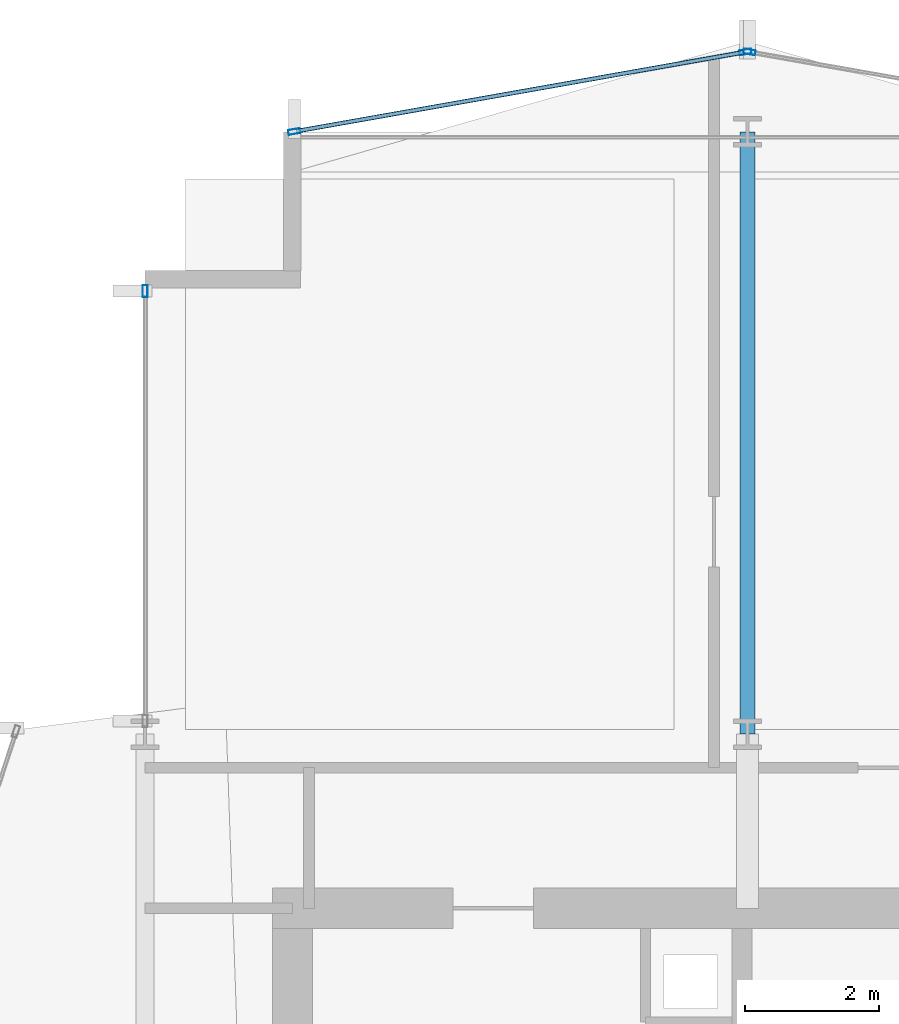
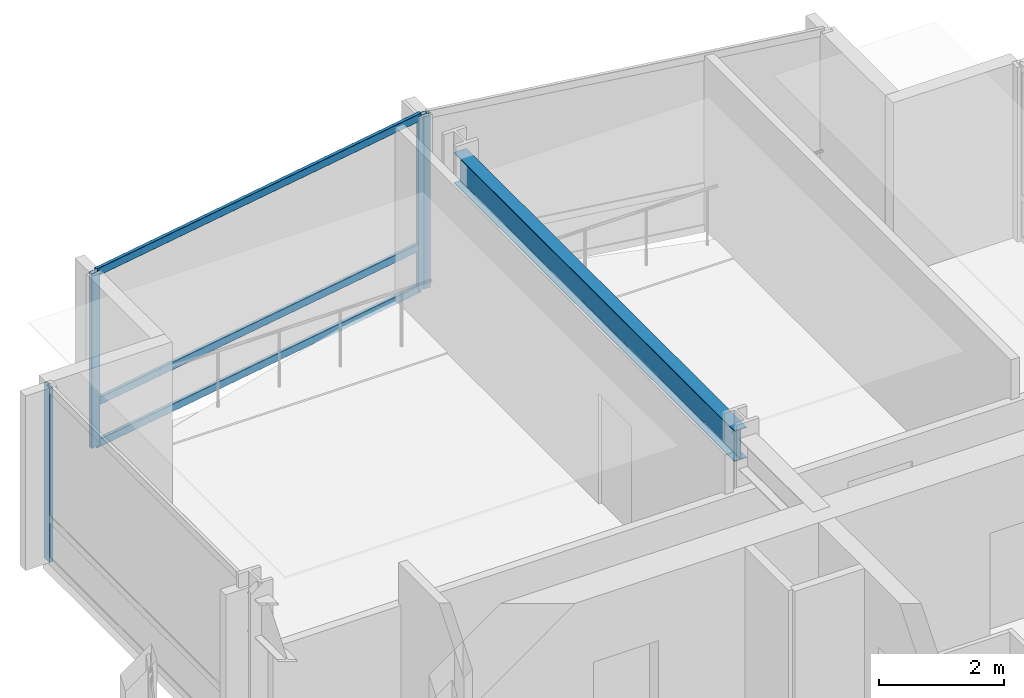
# One storey, part 19 of 28: 7 members, 1 beam, 3 elements without a shape of their own.
"""IFC4 building model written with IfcOpenShell, lengths in metres."""

from ifc_helpers import new_model, si_unit, direction, frame, origin, origin_2d, place, context, subcontext, project, spatial, hollow_rectangle, i_section, extrude, material, layer, layer_set, material_profile, profile_set, type_object, element, aggregate, save


model = new_model("IFC4")

# Units and contexts
model_context = context("Model", 3, precision=1e-05, world=origin(), true_north=direction((0.0, 1.0)))
body_context = subcontext(model_context, "Body", "Model", "MODEL_VIEW")
ifc_project = project(units=[si_unit("LENGTHUNIT", "METRE"), si_unit("AREAUNIT", "SQUARE_METRE"), si_unit("VOLUMEUNIT", "CUBIC_METRE"), si_unit("PLANEANGLEUNIT", "RADIAN"), si_unit("MASSUNIT", "GRAM", prefix="KILO")], contexts=[model_context])

# Site, building, storey
site_placement = place(None, origin())
site = spatial("IfcSite", under=ifc_project, at=site_placement, CompositionType="ELEMENT")
building_placement = place(site_placement, origin())
building = spatial("IfcBuilding", under=site, at=building_placement, Name="Solvaryn Broadcast Tower", CompositionType="ELEMENT")
storey_placement = place(building_placement, frame((0.0, 0.0, 110.0)))
storey = spatial("IfcBuildingStorey", under=building, at=storey_placement, Name="L26", CompositionType="ELEMENT", Elevation=110.0)

# Beam
ifc_material_1 = material(Name="Steel ASTM A992 Grade 50", Category="steel")
ifc_material_profile_1 = material_profile(ifc_material_1, i_section(OverallWidth=0.22802734375, OverallDepth=0.60791015625, WebThickness=0.01123046875, FlangeThickness=0.017333984375, FilletRadius=0.014892578125, at=origin_2d()))
ifc_profile_set_1 = profile_set([ifc_material_profile_1], Name="Steel ASTM A992 Grade 50")
beam_type = type_object("IfcBeamType", Name="BM-B2-W24X76", PredefinedType="BEAM", material=ifc_profile_set_1)
beam_placement = place(storey_placement, frame((18.0, 45.0, 3.115966796875), z_axis=(0.0, 1.0, 0.0), x_axis=(-1.0, 0.0, 0.0)))
element("IfcBeam", 1, at=beam_placement, inside=storey, type_object=beam_type, Name="L26 Primary Beam Y (45-54 @ X=18)", PredefinedType="BEAM", context=body_context, shape_type="SweptSolid", body=[
    extrude(i_section(OverallWidth=0.22802734375, OverallDepth=0.60791015625, WebThickness=0.01123046875, FlangeThickness=0.017333984375, FilletRadius=0.014892578125, at=origin_2d()), origin(), (0.0, 0.0, 1.0), 9.0),
])

# Curtain wall, member
ifc_material_2 = material(Name="Aluminium and Terracotta Unitised Curtain Wall", Category="masonry")
ifc_layer = layer(ifc_material_2, 0.199951171875)
ifc_layer_set = layer_set([ifc_layer], Name="CW-SYS2-LOWMID")
curtain_wall_type = type_object("IfcCurtainWallType", Name="CW-SYS2-LOWMID", PredefinedType="NOTDEFINED", material=ifc_layer_set)
curtain_wall_1_placement = place(storey_placement, origin())
curtain_wall_1 = element("IfcCurtainWall", 2, at=curtain_wall_1_placement, inside=storey, type_object=curtain_wall_type, Name="L26 Curtain Wall W2", PredefinedType="NOTDEFINED")
ifc_material_3 = material(Name="Anodised Aluminium 6063-T6", Category="aluminium")
ifc_material_profile_2 = material_profile(ifc_material_3, hollow_rectangle(XDim=0.074951171875, YDim=0.179931640625, WallThickness=0.00390625, InnerFilletRadius=0.00390625, OuterFilletRadius=0.008056640625, at=origin_2d()))
ifc_profile_set_2 = profile_set([ifc_material_profile_2], Name="Anodised Aluminium 6063-T6")
member_type_1 = type_object("IfcMemberType", Name="CW-MUL-180", PredefinedType="MULLION", material=ifc_profile_set_2)
member_1_placement = place(storey_placement, frame((9.0, 51.6201171875, 0.0), z_axis=(0.0, 0.0, 1.0), x_axis=(-1.0, 0.0, 0.0)))
member_1 = element("IfcMember", 3, at=member_1_placement, type_object=member_type_1, Name="CWS2 mullion 2", PredefinedType="MULLION", context=body_context, shape_type="SweptSolid", body=[
    extrude(hollow_rectangle(XDim=0.074951171875, YDim=0.179931640625, WallThickness=0.00390625, InnerFilletRadius=0.00390625, OuterFilletRadius=0.008056640625, at=origin_2d()), origin(), (0.0, 0.0, 1.0), 3.419921875),
])
aggregate(curtain_wall_1, [member_1])

curtain_wall_2_placement = place(storey_placement, origin())
curtain_wall_2 = element("IfcCurtainWall", 4, at=curtain_wall_2_placement, inside=storey, type_object=curtain_wall_type, Name="L26 Curtain Wall NT1", PredefinedType="NOTDEFINED")
member_2_placement = place(storey_placement, frame((18.029541015625, 55.19482421875, 0.0), z_axis=(0.0, 0.0, 1.0), x_axis=(-0.173785333901, -0.984783558819, 0.0)))
member_2 = element("IfcMember", 5, at=member_2_placement, type_object=member_type_1, Name="CWS2 mullion 2", PredefinedType="MULLION", context=body_context, shape_type="SweptSolid", body=[
    extrude(hollow_rectangle(XDim=0.074951171875, YDim=0.179931640625, WallThickness=0.00390625, InnerFilletRadius=0.00390625, OuterFilletRadius=0.008056640625, at=origin_2d()), origin(), (0.0, 0.0, 1.0), 3.419921875),
])
aggregate(curtain_wall_2, [member_2])

# Curtain wall, members
curtain_wall_3_placement = place(storey_placement, origin())
curtain_wall_3 = element("IfcCurtainWall", 6, at=curtain_wall_3_placement, inside=storey, type_object=curtain_wall_type, Name="L26 Curtain Wall NT2", PredefinedType="NOTDEFINED")
member_3_placement = place(storey_placement, frame((17.970458984375, 55.19482421875, 0.0), z_axis=(0.0, 0.0, 1.0), x_axis=(0.173785333901, -0.984783558819, 0.0)))
member_3 = element("IfcMember", 7, at=member_3_placement, type_object=member_type_1, Name="CWS2 mullion 1", PredefinedType="MULLION", context=body_context, shape_type="SweptSolid", body=[
    extrude(hollow_rectangle(XDim=0.074951171875, YDim=0.179931640625, WallThickness=0.00390625, InnerFilletRadius=0.00390625, OuterFilletRadius=0.008056640625, at=origin_2d()), origin(), (0.0, 0.0, 1.0), 3.419921875),
])
member_4_placement = place(storey_placement, frame((11.2294921875, 54.005126953125, 0.0), z_axis=(0.0, 0.0, 1.0), x_axis=(0.173785333901, -0.984783558819, 0.0)))
member_4 = element("IfcMember", 8, at=member_4_placement, type_object=member_type_1, Name="CWS2 mullion 2", PredefinedType="MULLION", context=body_context, shape_type="SweptSolid", body=[
    extrude(hollow_rectangle(XDim=0.074951171875, YDim=0.179931640625, WallThickness=0.00390625, InnerFilletRadius=0.00390625, OuterFilletRadius=0.008056640625, at=origin_2d()), origin(), (0.0, 0.0, 1.0), 3.419921875),
])
ifc_material_4 = material(Name="Anodised Aluminium 6063-T6", Category="aluminium")
ifc_material_profile_3 = material_profile(ifc_material_4, hollow_rectangle(XDim=0.06494140625, YDim=0.14990234375, WallThickness=0.00390625, InnerFilletRadius=0.00390625, OuterFilletRadius=0.008056640625, at=origin_2d()))
ifc_profile_set_3 = profile_set([ifc_material_profile_3], Name="Anodised Aluminium 6063-T6")
member_type_2 = type_object("IfcMemberType", Name="CW-TRN-150", PredefinedType="USERDEFINED", material=ifc_profile_set_3)
member_5_placement = place(storey_placement, frame((17.94091796875, 55.189453125, 0.030029296875), z_axis=(-0.984788629673, -0.173756596613, 0.0), x_axis=(0.173756596613, -0.984788629673, 0.0)))
member_5 = element("IfcMember", 9, at=member_5_placement, type_object=member_type_2, Name="CWS2 transom 1.1", ObjectType="TRANSOM", PredefinedType="USERDEFINED", context=body_context, shape_type="SweptSolid", body=[
    extrude(hollow_rectangle(XDim=0.06494140625, YDim=0.14990234375, WallThickness=0.00390625, InnerFilletRadius=0.00390625, OuterFilletRadius=0.008056640625, at=origin_2d()), origin(), (0.0, 0.0, 1.0), 6.78515625),
])
member_6_placement = place(storey_placement, frame((17.94091796875, 55.189453125, 0.85009765625), z_axis=(-0.984788629673, -0.173756596613, 0.0), x_axis=(0.173756596613, -0.984788629673, 0.0)))
member_6 = element("IfcMember", 10, at=member_6_placement, type_object=member_type_2, Name="CWS2 transom 1.2", ObjectType="TRANSOM", PredefinedType="USERDEFINED", context=body_context, shape_type="SweptSolid", body=[
    extrude(hollow_rectangle(XDim=0.06494140625, YDim=0.14990234375, WallThickness=0.00390625, InnerFilletRadius=0.00390625, OuterFilletRadius=0.008056640625, at=origin_2d()), origin(), (0.0, 0.0, 1.0), 6.78515625),
])
member_7_placement = place(storey_placement, frame((17.94091796875, 55.189453125, 3.389892578125), z_axis=(-0.984788629673, -0.173756596613, 0.0), x_axis=(0.173756596613, -0.984788629673, 0.0)))
member_7 = element("IfcMember", 11, at=member_7_placement, type_object=member_type_2, Name="CWS2 transom 1.3", ObjectType="TRANSOM", PredefinedType="USERDEFINED", context=body_context, shape_type="SweptSolid", body=[
    extrude(hollow_rectangle(XDim=0.06494140625, YDim=0.14990234375, WallThickness=0.00390625, InnerFilletRadius=0.00390625, OuterFilletRadius=0.008056640625, at=origin_2d()), origin(), (0.0, 0.0, 1.0), 6.78515625),
])
aggregate(curtain_wall_3, [member_3, member_4, member_5, member_6, member_7])

save(model, "model.ifc")
